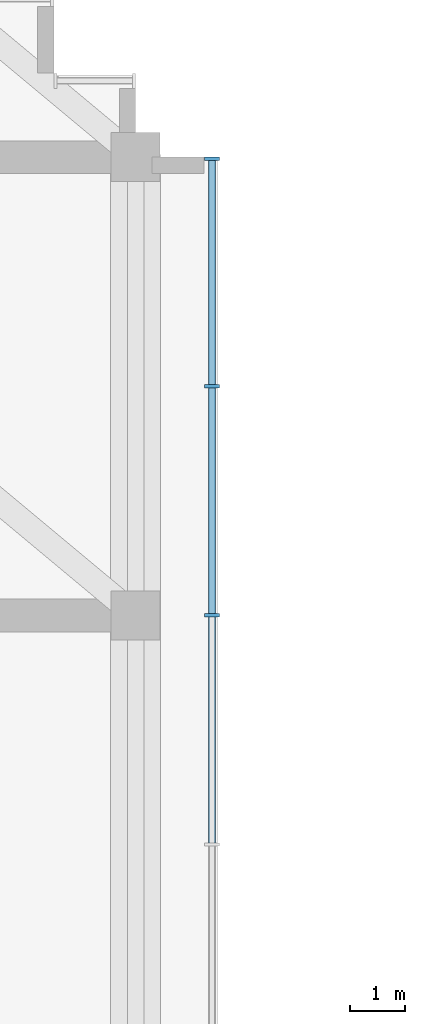
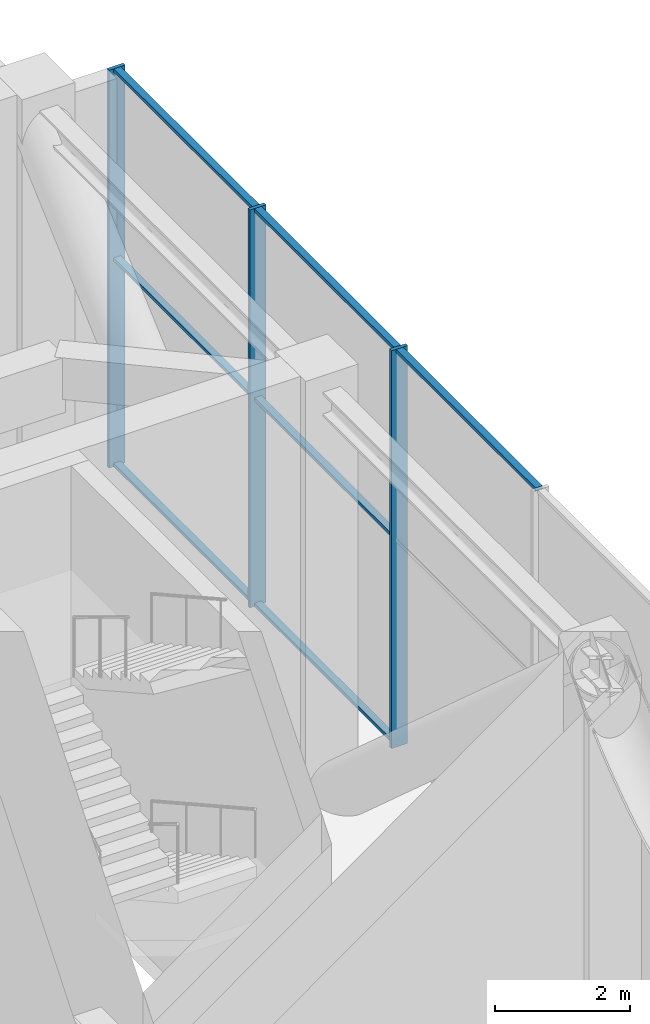
# One storey, part 6 of 16: 10 members, 1 element without a shape of its own.
"""IFC4 building model written with IfcOpenShell, lengths in metres."""

from ifc_helpers import new_model, si_unit, direction, frame, origin, origin_2d, place, context, subcontext, project, spatial, rectangle, extrude, material, material_profile, profile_set, type_object, element, aggregate, save


model = new_model("IFC4")

# Units and contexts
model_context = context("Model", 3, precision=1e-05, world=origin(), true_north=direction((0.0, 1.0)))
body_context = subcontext(model_context, "Body", "Model", "MODEL_VIEW")
ifc_project = project(units=[si_unit("LENGTHUNIT", "METRE"), si_unit("AREAUNIT", "SQUARE_METRE"), si_unit("VOLUMEUNIT", "CUBIC_METRE"), si_unit("PLANEANGLEUNIT", "RADIAN"), si_unit("MASSUNIT", "GRAM", prefix="KILO")], contexts=[model_context])

# Site, building, storey
site_placement = place(None, origin())
site = spatial("IfcSite", under=ifc_project, at=site_placement, CompositionType="ELEMENT")
building_placement = place(site_placement, origin())
building = spatial("IfcBuilding", under=site, at=building_placement, Name="Impinga Residences", CompositionType="ELEMENT")
storey_placement = place(building_placement, frame((0.0, 0.0, 181.0)))
storey = spatial("IfcBuildingStorey", under=building, at=storey_placement, Name="L45", CompositionType="ELEMENT", Elevation=181.0)

# Curtain wall, members
ifc_material_1 = material(Name="Aluminium stick curtain wall", Category="aluminium")
curtain_wall_type = type_object("IfcCurtainWallType", Name="CW4 plant floor louvred curtain wall", PredefinedType="USERDEFINED", material=ifc_material_1)
curtain_wall_placement = place(storey_placement, origin())
curtain_wall = element("IfcCurtainWall", 1, at=curtain_wall_placement, inside=storey, type_object=curtain_wall_type, Name="Curtain wall CW4 L45", ObjectType="STICK CURTAIN WALL", PredefinedType="USERDEFINED")
ifc_material_2 = material(Name="Aluminium mullion", Category="aluminium")
ifc_material_profile_1 = material_profile(ifc_material_2, rectangle(XDim=0.06005859375, YDim=0.27490234375, at=origin_2d()), Name="60x275 mullion")
ifc_profile_set_1 = profile_set([ifc_material_profile_1], Name="Aluminium mullion")
member_type_1 = type_object("IfcMemberType", Name="CW4-M mullion 60x275", PredefinedType="MULLION", material=ifc_profile_set_1)
member_1_placement = place(storey_placement, frame((10.39990234375, 36.6015625, 0.0), z_axis=(0.0, 0.0, 1.0), x_axis=(0.0, -1.0, 0.0)))
member_1 = element("IfcMember", 2, at=member_1_placement, type_object=member_type_1, Name="CW4 mullion 1", PredefinedType="MULLION", context=body_context, shape_type="SweptSolid", body=[
    extrude(rectangle(XDim=0.06005859375, YDim=0.27490234375, at=origin_2d()), origin(), (0.0, 0.0, 1.0), 7.199951171875),
])
member_2_placement = place(storey_placement, frame((10.39990234375, 32.431640625, 0.0), z_axis=(0.0, 0.0, 1.0), x_axis=(0.0, -1.0, 0.0)))
member_2 = element("IfcMember", 3, at=member_2_placement, type_object=member_type_1, Name="CW4 mullion 2", PredefinedType="MULLION", context=body_context, shape_type="SweptSolid", body=[
    extrude(rectangle(XDim=0.06005859375, YDim=0.27490234375, at=origin_2d()), origin(), (0.0, 0.0, 1.0), 7.199951171875),
])
member_3_placement = place(storey_placement, frame((10.39990234375, 28.2314453125, 0.0), z_axis=(0.0, 0.0, 1.0), x_axis=(0.0, -1.0, 0.0)))
member_3 = element("IfcMember", 4, at=member_3_placement, type_object=member_type_1, Name="CW4 mullion 3", PredefinedType="MULLION", context=body_context, shape_type="SweptSolid", body=[
    extrude(rectangle(XDim=0.06005859375, YDim=0.27490234375, at=origin_2d()), origin(), (0.0, 0.0, 1.0), 7.199951171875),
])
ifc_material_3 = material(Name="Aluminium transom", Category="aluminium")
ifc_material_profile_2 = material_profile(ifc_material_3, rectangle(XDim=0.06005859375, YDim=0.1201171875, at=origin_2d()), Name="60x120 transom")
ifc_profile_set_2 = profile_set([ifc_material_profile_2], Name="Aluminium transom")
member_type_2 = type_object("IfcMemberType", Name="CW4-T transom 60x120", PredefinedType="USERDEFINED", material=ifc_profile_set_2)
member_4_placement = place(storey_placement, frame((10.39990234375, 36.571533203125, 0.030029296875), z_axis=(0.0, -1.0, 0.0), x_axis=(0.0, 0.0, 1.0)))
member_4 = element("IfcMember", 5, at=member_4_placement, type_object=member_type_2, Name="CW4 transom 1.1", ObjectType="TRANSOM", PredefinedType="USERDEFINED", context=body_context, shape_type="SweptSolid", body=[
    extrude(rectangle(XDim=0.06005859375, YDim=0.1201171875, at=origin_2d()), origin(), (0.0, 0.0, 1.0), 4.110107421875),
])
member_5_placement = place(storey_placement, frame((10.39990234375, 36.571533203125, 3.75), z_axis=(0.0, -1.0, 0.0), x_axis=(0.0, 0.0, 1.0)))
member_5 = element("IfcMember", 6, at=member_5_placement, type_object=member_type_2, Name="CW4 transom 1.2", ObjectType="TRANSOM", PredefinedType="USERDEFINED", context=body_context, shape_type="SweptSolid", body=[
    extrude(rectangle(XDim=0.06005859375, YDim=0.1201171875, at=origin_2d()), origin(), (0.0, 0.0, 1.0), 4.110107421875),
])
member_6_placement = place(storey_placement, frame((10.39990234375, 36.571533203125, 7.169921875), z_axis=(0.0, -1.0, 0.0), x_axis=(0.0, 0.0, 1.0)))
member_6 = element("IfcMember", 7, at=member_6_placement, type_object=member_type_2, Name="CW4 transom 1.3", ObjectType="TRANSOM", PredefinedType="USERDEFINED", context=body_context, shape_type="SweptSolid", body=[
    extrude(rectangle(XDim=0.06005859375, YDim=0.1201171875, at=origin_2d()), origin(), (0.0, 0.0, 1.0), 4.110107421875),
])
member_7_placement = place(storey_placement, frame((10.39990234375, 32.401611328125, 0.030029296875), z_axis=(0.0, -1.0, 0.0), x_axis=(0.0, 0.0, 1.0)))
member_7 = element("IfcMember", 8, at=member_7_placement, type_object=member_type_2, Name="CW4 transom 2.1", ObjectType="TRANSOM", PredefinedType="USERDEFINED", context=body_context, shape_type="SweptSolid", body=[
    extrude(rectangle(XDim=0.06005859375, YDim=0.1201171875, at=origin_2d()), origin(), (0.0, 0.0, 1.0), 4.14013671875),
])
member_8_placement = place(storey_placement, frame((10.39990234375, 32.401611328125, 3.75), z_axis=(0.0, -1.0, 0.0), x_axis=(0.0, 0.0, 1.0)))
member_8 = element("IfcMember", 9, at=member_8_placement, type_object=member_type_2, Name="CW4 transom 2.2", ObjectType="TRANSOM", PredefinedType="USERDEFINED", context=body_context, shape_type="SweptSolid", body=[
    extrude(rectangle(XDim=0.06005859375, YDim=0.1201171875, at=origin_2d()), origin(), (0.0, 0.0, 1.0), 4.14013671875),
])
member_9_placement = place(storey_placement, frame((10.39990234375, 32.401611328125, 7.169921875), z_axis=(0.0, -1.0, 0.0), x_axis=(0.0, 0.0, 1.0)))
member_9 = element("IfcMember", 10, at=member_9_placement, type_object=member_type_2, Name="CW4 transom 2.3", ObjectType="TRANSOM", PredefinedType="USERDEFINED", context=body_context, shape_type="SweptSolid", body=[
    extrude(rectangle(XDim=0.06005859375, YDim=0.1201171875, at=origin_2d()), origin(), (0.0, 0.0, 1.0), 4.14013671875),
])
member_10_placement = place(storey_placement, frame((10.39990234375, 28.201416015625, 7.169921875), z_axis=(0.0, -1.0, 0.0), x_axis=(0.0, 0.0, 1.0)))
member_10 = element("IfcMember", 11, at=member_10_placement, type_object=member_type_2, Name="CW4 transom 3.3", ObjectType="TRANSOM", PredefinedType="USERDEFINED", context=body_context, shape_type="SweptSolid", body=[
    extrude(rectangle(XDim=0.06005859375, YDim=0.1201171875, at=origin_2d()), origin(), (0.0, 0.0, 1.0), 4.139892578125),
])
aggregate(curtain_wall, [member_1, member_2, member_3, member_4, member_5, member_6, member_7, member_8, member_9, member_10])

save(model, "model.ifc")
